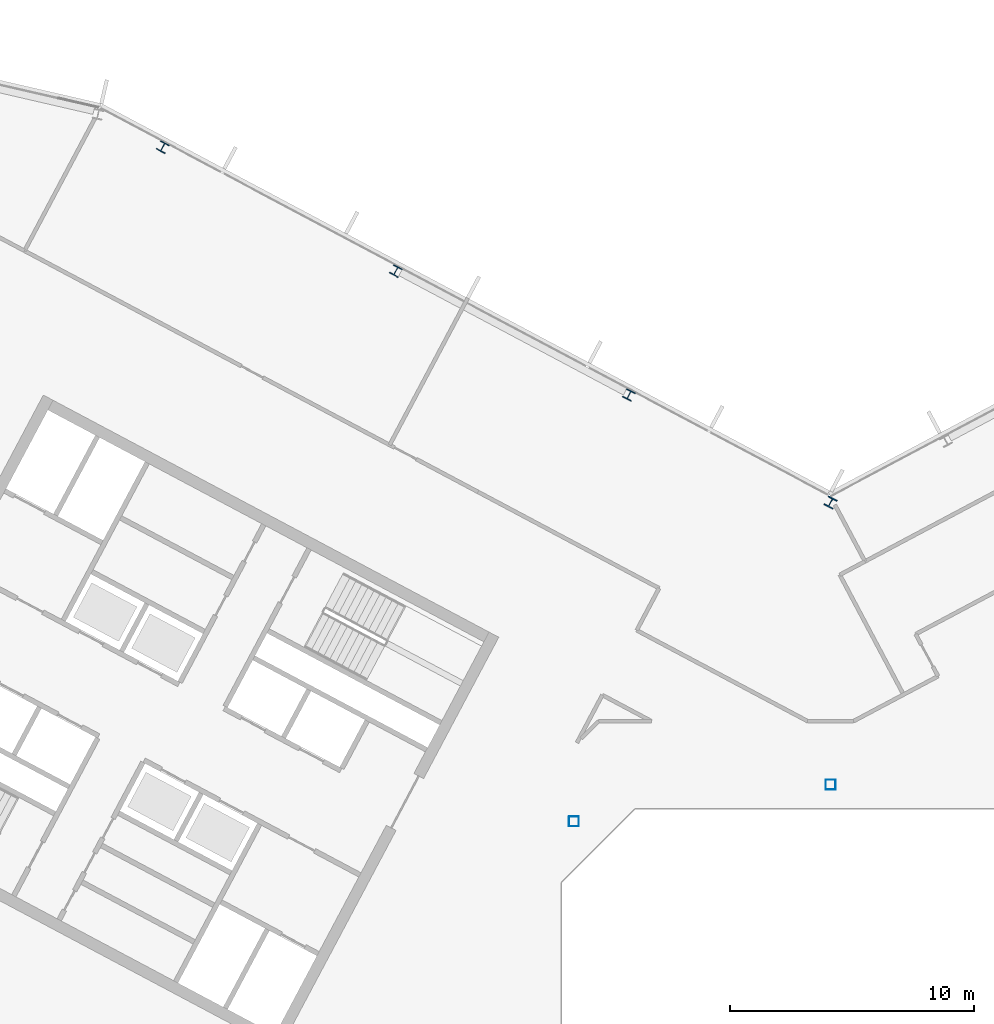
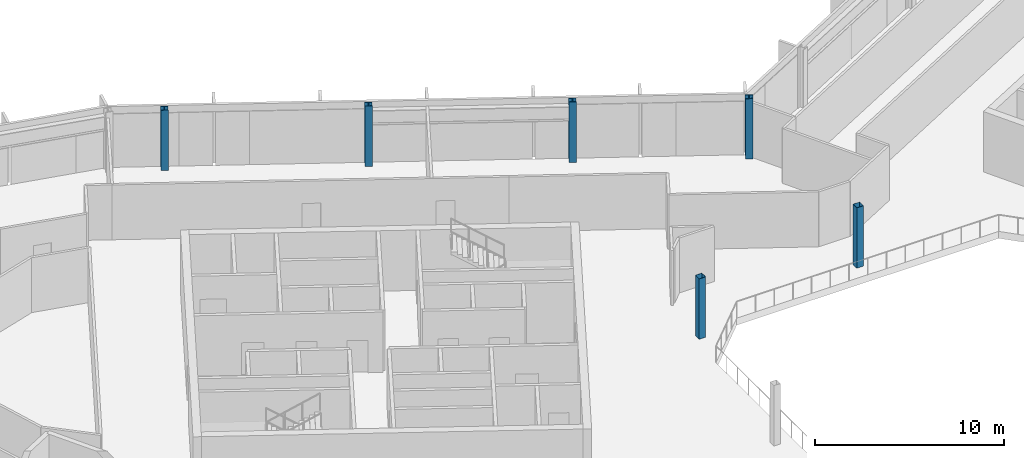
# One storey, part 4 of 30: 6 columns.
"""IFC4 building model written with IfcOpenShell, lengths in metres."""

from ifc_helpers import new_model, si_unit, direction, frame, origin, origin_2d, place, context, subcontext, project, spatial, hollow_rectangle, i_section, extrude, material, material_profile, profile_set, type_object, element, save


model = new_model("IFC4")

# Units and contexts
model_context = context("Model", 3, precision=1e-05, world=origin(), true_north=direction((0.0, 1.0)))
body_context = subcontext(model_context, "Body", "Model", "MODEL_VIEW")
ifc_project = project(units=[si_unit("LENGTHUNIT", "METRE"), si_unit("AREAUNIT", "SQUARE_METRE"), si_unit("VOLUMEUNIT", "CUBIC_METRE"), si_unit("PLANEANGLEUNIT", "RADIAN"), si_unit("MASSUNIT", "GRAM", prefix="KILO")], contexts=[model_context])

# Site, building, storey
site_placement = place(None, origin())
site = spatial("IfcSite", under=ifc_project, at=site_placement, CompositionType="ELEMENT")
building_placement = place(site_placement, origin())
building = spatial("IfcBuilding", under=site, at=building_placement, Name="Cormorant Relay Tower", CompositionType="ELEMENT")
storey_placement = place(building_placement, frame((0.0, 0.0, 258.0)))
storey = spatial("IfcBuildingStorey", under=building, at=storey_placement, Name="L57", CompositionType="ELEMENT", Elevation=258.0)

# Columns
ifc_material_1 = material(Name="Steel ASTM A500 Grade C (Fy 345 MPa)", Category="steel")
ifc_material_profile_1 = material_profile(ifc_material_1, hollow_rectangle(XDim=0.406494140625, YDim=0.406494140625, WallThickness=0.0087890625, InnerFilletRadius=0.00439453125, OuterFilletRadius=0.01318359375, at=origin_2d()), Name="HSS406x406x9")
ifc_profile_set_1 = profile_set([ifc_material_profile_1], Name="Steel ASTM A500 Grade C (Fy 345 MPa)")
column_type_1 = type_object("IfcColumnType", Name="Column HSS406x406x9", PredefinedType="COLUMN", material=ifc_profile_set_1)
for number, where, z_axis, x_axis, name in (
    (1, (-10.5, 10.5, 0.0), (0.0, 0.0, 1.0), (1.0, 0.0, 0.0), "Column L57-023"),
    (2, (0.0, 12.0, 0.0), (0.0, 0.0, 1.0), (1.0, 0.0, 0.0), "Column L57-025"),
):
    element("IfcColumn", number, at=place(storey_placement, frame(where, z_axis=z_axis, x_axis=x_axis)), inside=storey, type_object=column_type_1, Name=name, PredefinedType="COLUMN", context=body_context, shape_type="SweptSolid", body=[
        extrude(hollow_rectangle(XDim=0.406494140625, YDim=0.406494140625, WallThickness=0.0087890625, InnerFilletRadius=0.00439453125, OuterFilletRadius=0.01318359375, at=origin_2d()), origin(), (0.0, 0.0, 1.0), 3.89990234375),
    ])
ifc_material_2 = material(Name="Steel ASTM A992 (Fy 345 MPa)", Category="steel")
ifc_material_profile_2 = material_profile(ifc_material_2, i_section(OverallWidth=0.398681640625, OverallDepth=0.385986328125, WebThickness=0.02099609375, FlangeThickness=0.033203125, FilletRadius=0.01513671875, at=origin_2d()), Name="W360x262")
ifc_profile_set_2 = profile_set([ifc_material_profile_2], Name="Steel ASTM A992 (Fy 345 MPa)")
column_type_2 = type_object("IfcColumnType", Name="Column W360x262", PredefinedType="COLUMN", material=ifc_profile_set_2)
for number, where, z_axis, x_axis, name in (
    (3, (-8.2470703125, 27.943115234375, 0.0), (0.0, 0.0, 1.0), (-0.882947592859, 0.469471562786, 0.0), "Column L57-032"),
    (4, (-17.782958984375, 33.012939453125, 0.0), (0.0, 0.0, 1.0), (-0.882947592859, 0.469471562786, 0.0), "Column L57-036"),
    (5, (-27.319091796875, 38.0830078125, 0.0), (0.0, 0.0, 1.0), (-0.882947592859, 0.469471562786, 0.0), "Column L57-040"),
):
    element("IfcColumn", number, at=place(storey_placement, frame(where, z_axis=z_axis, x_axis=x_axis)), inside=storey, type_object=column_type_2, Name=name, PredefinedType="COLUMN", context=body_context, shape_type="SweptSolid", body=[
        extrude(i_section(OverallWidth=0.398681640625, OverallDepth=0.385986328125, WebThickness=0.02099609375, FlangeThickness=0.033203125, FilletRadius=0.01513671875, at=origin_2d()), origin(), (0.0, 0.0, 1.0), 3.89990234375),
    ])
ifc_material_3 = material(Name="Steel ASTM A992 (Fy 345 MPa)", Category="steel")
ifc_material_profile_3 = material_profile(ifc_material_3, i_section(OverallWidth=0.40380859375, OverallDepth=0.406494140625, WebThickness=0.027099609375, FlangeThickness=0.043701171875, FilletRadius=0.01513671875, at=origin_2d()), Name="W360x347")
ifc_profile_set_3 = profile_set([ifc_material_profile_3], Name="Steel ASTM A992 (Fy 345 MPa)")
column_type_3 = type_object("IfcColumnType", Name="Column W360x347", PredefinedType="COLUMN", material=ifc_profile_set_3)
column_placement = place(storey_placement, frame((0.0, 23.5439453125, 0.0), z_axis=(0.0, 0.0, 1.0), x_axis=(-0.882947592859, 0.469471562786, 0.0)))
element("IfcColumn", 6, at=column_placement, inside=storey, type_object=column_type_3, Name="Column L57-029", PredefinedType="COLUMN", context=body_context, shape_type="SweptSolid", body=[
    extrude(i_section(OverallWidth=0.40380859375, OverallDepth=0.406494140625, WebThickness=0.027099609375, FlangeThickness=0.043701171875, FilletRadius=0.01513671875, at=origin_2d()), origin(), (0.0, 0.0, 1.0), 3.89990234375),
])

save(model, "model.ifc")
